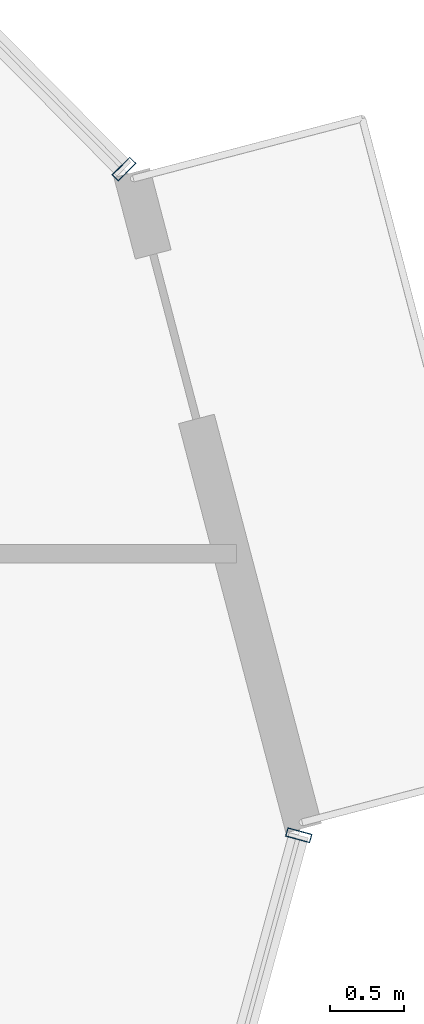
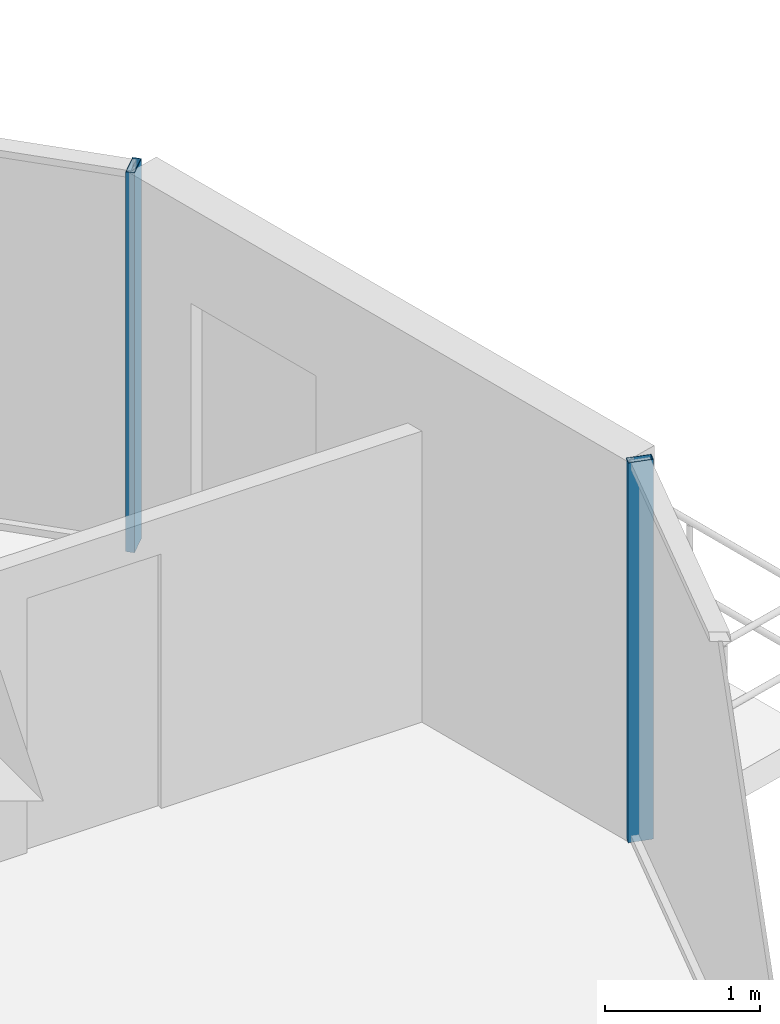
# One storey, part 21 of 39: 2 members, 2 elements without a shape of their own.
"""IFC4 building model written with IfcOpenShell, lengths in metres."""

from ifc_helpers import new_model, si_unit, direction, frame, origin, origin_2d, place, context, subcontext, project, spatial, hollow_rectangle, extrude, source, transform, mapped, material, layer, layer_set, material_profile, profile_set, type_object, element, aggregate, save


model = new_model("IFC4")

# Units and contexts
model_context = context("Model", 3, precision=1e-05, world=origin(), true_north=direction((0.0, 1.0)))
body_context = subcontext(model_context, "Body", "Model", "MODEL_VIEW")
ifc_project = project(units=[si_unit("LENGTHUNIT", "METRE"), si_unit("AREAUNIT", "SQUARE_METRE"), si_unit("VOLUMEUNIT", "CUBIC_METRE"), si_unit("PLANEANGLEUNIT", "RADIAN"), si_unit("MASSUNIT", "GRAM", prefix="KILO")], contexts=[model_context])

# Site, building, storey
site_placement = place(None, origin())
site = spatial("IfcSite", under=ifc_project, at=site_placement, CompositionType="ELEMENT")
building_placement = place(site_placement, origin())
building = spatial("IfcBuilding", under=site, at=building_placement, Name="Veraguas Prism Commons", CompositionType="ELEMENT")
storey_placement = place(building_placement, frame((0.0, 0.0, 73.85009765625)))
storey = spatial("IfcBuildingStorey", under=building, at=storey_placement, Name="L20", CompositionType="ELEMENT", Elevation=73.85009765625)

# Curtain wall, member
ifc_material = material(Name="Anodised aluminium EN AW-6063 T6", Category="aluminium")
ifc_layer = layer(ifc_material, 0.169921875, Name="Unitised Flush Curtain Wall Zone 1", Category="aluminium")
ifc_layer_set = layer_set([ifc_layer], Name="Anodised aluminium EN AW-6063 T6")
curtain_wall_type = type_object("IfcCurtainWallType", Name="Unitised Flush Curtain Wall Zone 1", PredefinedType="NOTDEFINED", material=ifc_layer_set)
curtain_wall_1_placement = place(storey_placement, origin())
curtain_wall_1 = element("IfcCurtainWall", 1, at=curtain_wall_1_placement, inside=storey, type_object=curtain_wall_type, Name="Tower Facade Curtain Wall L20-F1", PredefinedType="NOTDEFINED")
ifc_material_profile = material_profile(ifc_material, hollow_rectangle(XDim=0.06005859375, YDim=0.169921875, WallThickness=0.00390625, at=origin_2d()), Name="AL60X170X4")
ifc_profile_set = profile_set([ifc_material_profile], Name="Anodised aluminium EN AW-6063 T6")
member_type = type_object("IfcMemberType", Name="Curtain Wall Mullion Lower AL 60x170x4", PredefinedType="MULLION", material=ifc_profile_set)
shared_shape = source(origin(), body_context, "Body", "SweptSolid", [
    extrude(hollow_rectangle(XDim=0.06005859375, YDim=0.169921875, WallThickness=0.00390625, at=origin_2d()), origin(), (0.0, 0.0, 1.0), 3.0),
])
member_1_placement = place(storey_placement, frame((45.32373046875, 32.000732421875, 0.0), z_axis=(0.0, 0.0, 1.0), x_axis=(-0.70339346223, 0.710800701527, 0.0)))
member_1 = element("IfcMember", 2, at=member_1_placement, type_object=member_type, Name="CW-Z1 Mullion 1", PredefinedType="MULLION", context=body_context, shape_type="MappedRepresentation", body=[
    mapped(shared_shape, transform((0.0, 0.0, 0.0), scale=1.0)),
])
aggregate(curtain_wall_1, [member_1])

curtain_wall_2_placement = place(storey_placement, origin())
curtain_wall_2 = element("IfcCurtainWall", 3, at=curtain_wall_2_placement, inside=storey, type_object=curtain_wall_type, Name="Tower Facade Curtain Wall L20-F6", PredefinedType="NOTDEFINED")
member_2_placement = place(storey_placement, frame((46.505126953125, 27.497314453125, 0.0), z_axis=(0.0, 0.0, 1.0), x_axis=(0.26387978384, 0.964555576253, 0.0)))
member_2 = element("IfcMember", 4, at=member_2_placement, type_object=member_type, Name="CW-Z1 Mullion 5", PredefinedType="MULLION", context=body_context, shape_type="MappedRepresentation", body=[
    mapped(shared_shape, transform((0.0, 0.0, 0.0), scale=1.0)),
])
aggregate(curtain_wall_2, [member_2])

save(model, "model.ifc")
